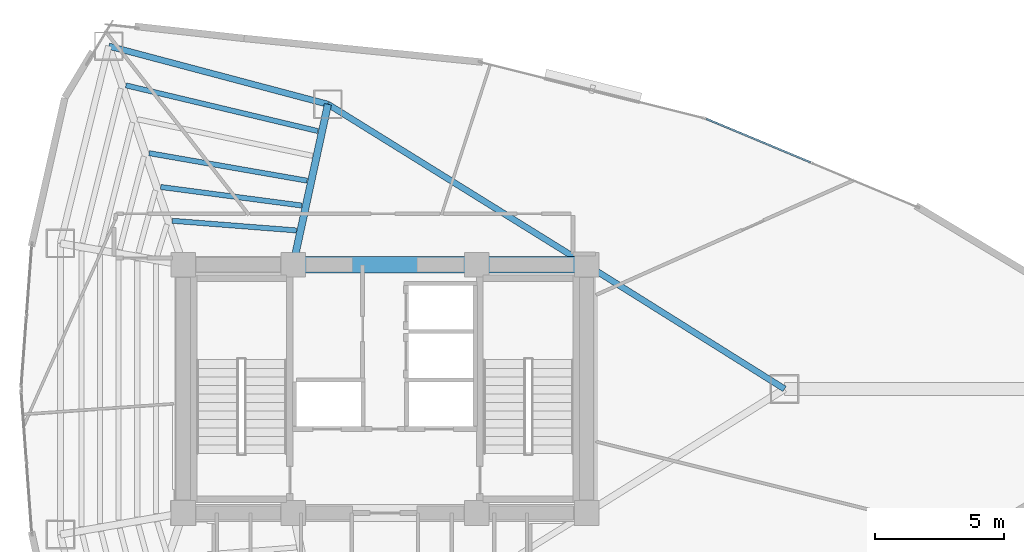
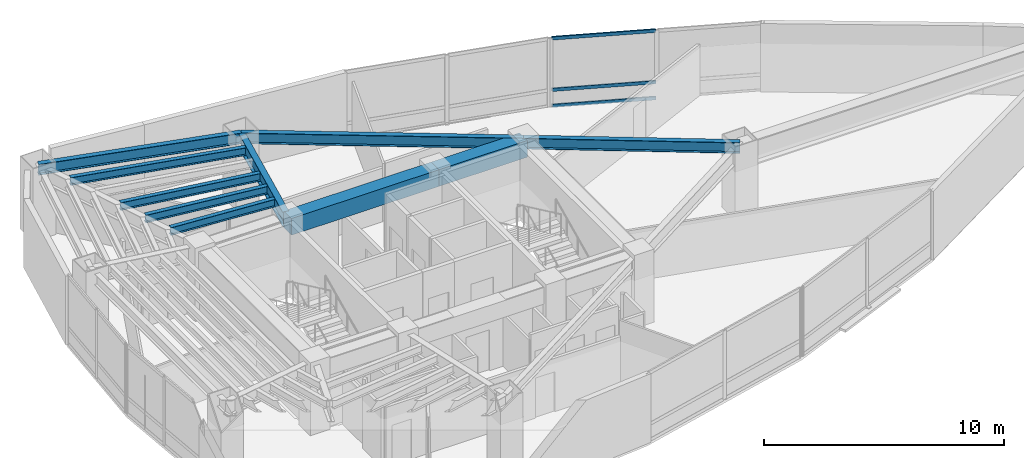
# One storey, part 8 of 18: 10 beams, 3 members, 1 element without a shape of its own.
"""IFC4 building model written with IfcOpenShell, lengths in metres."""

from ifc_helpers import new_model, si_unit, direction, frame, origin, origin_2d, place, context, subcontext, project, spatial, rectangle, hollow_rectangle, i_section, extrude, material, layer, layer_set, material_profile, profile_set, type_object, element, aggregate, save


model = new_model("IFC4")

# Units and contexts
model_context = context("Model", 3, precision=1e-05, world=origin(), true_north=direction((0.0, 1.0)))
body_context = subcontext(model_context, "Body", "Model", "MODEL_VIEW")
ifc_project = project(units=[si_unit("LENGTHUNIT", "METRE"), si_unit("AREAUNIT", "SQUARE_METRE"), si_unit("VOLUMEUNIT", "CUBIC_METRE"), si_unit("PLANEANGLEUNIT", "RADIAN"), si_unit("MASSUNIT", "GRAM", prefix="KILO")], contexts=[model_context])

# Site, building, storey
site_placement = place(None, origin())
site = spatial("IfcSite", under=ifc_project, at=site_placement, CompositionType="ELEMENT")
building_placement = place(site_placement, origin())
building = spatial("IfcBuilding", under=site, at=building_placement, Name="Menara Vayukalpa", CompositionType="ELEMENT")
storey_placement = place(building_placement, frame((0.0, 0.0, 161.760009765625)))
storey = spatial("IfcBuildingStorey", under=building, at=storey_placement, Name="L40", CompositionType="ELEMENT", Elevation=161.760009765625)

# Beams
ifc_material_1 = material(Name="Concrete C60/75", Category="concrete")
ifc_material_profile_1 = material_profile(ifc_material_1, rectangle(XDim=0.64990234375, YDim=0.85009765625, at=origin_2d()), Name="RC 650x850")
ifc_profile_set_1 = profile_set([ifc_material_profile_1], Name="Concrete C60/75")
beam_type_1 = type_object("IfcBeamType", Name="BM-CB1", PredefinedType="BEAM", material=ifc_profile_set_1)
beam_1_placement = place(storey_placement, frame((22.050048828125, 26.800048828125, 3.074951171875), z_axis=(1.0, 0.0, 0.0), x_axis=(0.0, 1.0, 0.0)))
element("IfcBeam", 1, at=beam_1_placement, inside=storey, type_object=beam_type_1, Name="L40 Core Tie Beam CBR5", PredefinedType="BEAM", context=body_context, shape_type="SweptSolid", body=[
    extrude(rectangle(XDim=0.64990234375, YDim=0.85009765625, at=origin_2d()), origin(), (0.0, 0.0, 1.0), 7.099853515625),
])
beam_2_placement = place(storey_placement, frame((29.14990234375, 26.800048828125, 3.074951171875), z_axis=(1.0, 0.0, 0.0), x_axis=(0.0, 1.0, 0.0)))
element("IfcBeam", 2, at=beam_2_placement, inside=storey, type_object=beam_type_1, Name="L40 Core Tie Beam CBR6", PredefinedType="BEAM", context=body_context, shape_type="SweptSolid", body=[
    extrude(rectangle(XDim=0.64990234375, YDim=0.85009765625, at=origin_2d()), origin(), (0.0, 0.0, 1.0), 4.25),
])
ifc_material_2 = material(Name="Steel S355", Category="steel")
ifc_material_profile_2 = material_profile(ifc_material_2, i_section(OverallWidth=0.280029296875, OverallDepth=0.75, WebThickness=0.013916015625, FlangeThickness=0.02490234375, at=origin_2d()), Name="WF 750x280x14x25")
ifc_profile_set_2 = profile_set([ifc_material_profile_2], Name="Steel S355")
beam_type_2 = type_object("IfcBeamType", Name="BM-PG4", PredefinedType="BEAM", material=ifc_profile_set_2)
beam_3_placement = place(storey_placement, frame((22.10302734375, 27.044189453125, 3.125), z_axis=(0.211898459532, 0.9772916877, 0.0), x_axis=(-0.9772916877, 0.211898459532, 0.0)))
element("IfcBeam", 3, at=beam_3_placement, inside=storey, type_object=beam_type_2, Name="L40 Primary Radial Girder RG03", PredefinedType="BEAM", context=body_context, shape_type="SweptSolid", body=[
    extrude(i_section(OverallWidth=0.280029296875, OverallDepth=0.75, WebThickness=0.013916015625, FlangeThickness=0.02490234375, at=origin_2d()), origin(), (0.0, 0.0, 1.0), 6.1064453125),
])
ifc_material_3 = material(Name="Steel S355", Category="steel")
ifc_material_profile_3 = material_profile(ifc_material_3, i_section(OverallWidth=0.199951171875, OverallDepth=0.39990234375, WebThickness=0.008056640625, FlangeThickness=0.012939453125, at=origin_2d()), Name="WF 400x200x8x13")
ifc_profile_set_3 = profile_set([ifc_material_profile_3], Name="Steel S355")
beam_type_3 = type_object("IfcBeamType", Name="BM-SJ2", PredefinedType="JOIST", material=ifc_profile_set_3)
beam_4_placement = place(storey_placement, frame((22.176513671875, 28.130859375, 3.300048828125), z_axis=(-0.996983386276, 0.077615252944, 0.0), x_axis=(-0.077615252944, -0.996983386276, 0.0)))
element("IfcBeam", 4, at=beam_4_placement, inside=storey, type_object=beam_type_3, Name="L40 Secondary Floor Joist SJ03-1", PredefinedType="JOIST", context=body_context, shape_type="SweptSolid", body=[
    extrude(i_section(OverallWidth=0.199951171875, OverallDepth=0.39990234375, WebThickness=0.008056640625, FlangeThickness=0.012939453125, at=origin_2d()), origin(), (0.0, 0.0, 1.0), 4.81591796875),
])
beam_5_placement = place(storey_placement, frame((22.38427734375, 29.09423828125, 3.300048828125), z_axis=(-0.991462596105, 0.130391412773, 0.0), x_axis=(-0.130391412773, -0.991462596105, 0.0)))
element("IfcBeam", 5, at=beam_5_placement, inside=storey, type_object=beam_type_3, Name="L40 Secondary Floor Joist SJ03-2", PredefinedType="JOIST", context=body_context, shape_type="SweptSolid", body=[
    extrude(i_section(OverallWidth=0.199951171875, OverallDepth=0.39990234375, WebThickness=0.008056640625, FlangeThickness=0.012939453125, at=origin_2d()), origin(), (0.0, 0.0, 1.0), 5.504638671875),
])
beam_6_placement = place(storey_placement, frame((22.59228515625, 30.0556640625, 3.300048828125), z_axis=(-0.985157431798, 0.171653239334, 0.0), x_axis=(-0.171653239334, -0.985157431798, 0.0)))
element("IfcBeam", 6, at=beam_6_placement, inside=storey, type_object=beam_type_3, Name="L40 Secondary Floor Joist SJ03-3", PredefinedType="JOIST", context=body_context, shape_type="SweptSolid", body=[
    extrude(i_section(OverallWidth=0.199951171875, OverallDepth=0.39990234375, WebThickness=0.008056640625, FlangeThickness=0.012939453125, at=origin_2d()), origin(), (0.0, 0.0, 1.0), 6.206787109375),
])
beam_7_placement = place(storey_placement, frame((23.00830078125, 31.974853515625, 3.300048828125), z_axis=(-0.972815476519, 0.231581624151, 0.0), x_axis=(-0.231581624151, -0.972815476519, 0.0)))
element("IfcBeam", 7, at=beam_7_placement, inside=storey, type_object=beam_type_3, Name="L40 Secondary Floor Joist SJ03-5", PredefinedType="JOIST", context=body_context, shape_type="SweptSolid", body=[
    extrude(i_section(OverallWidth=0.199951171875, OverallDepth=0.39990234375, WebThickness=0.008056640625, FlangeThickness=0.012939453125, at=origin_2d()), origin(), (0.0, 0.0, 1.0), 7.6357421875),
])
ifc_material_4 = material(Name="Steel S355", Category="steel")
ifc_material_profile_4 = material_profile(ifc_material_4, i_section(OverallWidth=0.239990234375, OverallDepth=0.550048828125, WebThickness=0.010986328125, FlangeThickness=0.01904296875, at=origin_2d()), Name="WF 550x240x11x19")
ifc_profile_set_4 = profile_set([ifc_material_profile_4], Name="Steel S355")
beam_type_4 = type_object("IfcBeamType", Name="BM-SP2", PredefinedType="SPANDREL", material=ifc_profile_set_4)
beam_8_placement = place(storey_placement, frame((41.05908203125, 22.0, 3.22509765625), z_axis=(-0.847348220701, 0.531037656739, 0.0), x_axis=(-0.531037656739, -0.847348220701, 0.0)))
element("IfcBeam", 8, at=beam_8_placement, inside=storey, type_object=beam_type_4, Name="L40 Perimeter Spandrel Beam SP01", PredefinedType="SPANDREL", context=body_context, shape_type="SweptSolid", body=[
    extrude(i_section(OverallWidth=0.239990234375, OverallDepth=0.550048828125, WebThickness=0.010986328125, FlangeThickness=0.01904296875, at=origin_2d()), origin(), (0.0, 0.0, 1.0), 9.0390625),
])
beam_9_placement = place(storey_placement, frame((33.39990234375, 26.800048828125, 3.22509765625), z_axis=(-0.849518408464, 0.527558976495, 0.0), x_axis=(-0.527558976495, -0.849518408464, 0.0)))
element("IfcBeam", 9, at=beam_9_placement, inside=storey, type_object=beam_type_4, Name="L40 Perimeter Spandrel Beam SP02", PredefinedType="SPANDREL", context=body_context, shape_type="SweptSolid", body=[
    extrude(i_section(OverallWidth=0.239990234375, OverallDepth=0.550048828125, WebThickness=0.010986328125, FlangeThickness=0.01904296875, at=origin_2d()), origin(), (0.0, 0.0, 1.0), 11.77490234375),
])
beam_10_placement = place(storey_placement, frame((23.39697265625, 33.011962890625, 3.22509765625), z_axis=(-0.96657141455, 0.256397544009, 0.0), x_axis=(-0.256397544009, -0.96657141455, 0.0)))
element("IfcBeam", 10, at=beam_10_placement, inside=storey, type_object=beam_type_4, Name="L40 Perimeter Spandrel Beam SP03", PredefinedType="SPANDREL", context=body_context, shape_type="SweptSolid", body=[
    extrude(i_section(OverallWidth=0.239990234375, OverallDepth=0.550048828125, WebThickness=0.010986328125, FlangeThickness=0.01904296875, at=origin_2d()), origin(), (0.0, 0.0, 1.0), 8.769775390625),
])

# Curtain wall, members
ifc_material_5 = material(Name="Anodised Terracotta Aluminium Alloy 6063-T6", Category="masonry")
ifc_layer = layer(ifc_material_5, 0.179931640625)
ifc_layer_set = layer_set([ifc_layer], Name="Anodised Terracotta Aluminium Alloy 6063-T6")
curtain_wall_type = type_object("IfcCurtainWallType", Name="CW-CW4", PredefinedType="USERDEFINED", material=ifc_layer_set)
curtain_wall_placement = place(storey_placement, origin())
curtain_wall = element("IfcCurtainWall", 11, at=curtain_wall_placement, inside=storey, type_object=curtain_wall_type, Name="L40 Sky Bar Cantilever Glazed Curtain Wall CW4 04", ObjectType="UNITISED", PredefinedType="USERDEFINED")
ifc_material_6 = material(Name="Anodised Terracotta Aluminium Alloy 6063-T6", Category="masonry")
ifc_material_profile_5 = material_profile(ifc_material_6, hollow_rectangle(XDim=0.070068359375, YDim=0.1650390625, WallThickness=0.00390625, at=origin_2d()), Name="ALU 70x165x4")
ifc_profile_set_5 = profile_set([ifc_material_profile_5], Name="Anodised Terracotta Aluminium Alloy 6063-T6")
member_type = type_object("IfcMemberType", Name="CWT-CW4", PredefinedType="USERDEFINED", material=ifc_profile_set_5)
member_1_placement = place(storey_placement, frame((42.063720703125, 30.765869140625, 0.034912109375), z_axis=(-0.922868513183, 0.385115187152, 0.0), x_axis=(-0.385115187152, -0.922868513183, 0.0)))
member_1 = element("IfcMember", 12, at=member_1_placement, type_object=member_type, Name="CW4 transom 2.1", ObjectType="TRANSOM", PredefinedType="USERDEFINED", context=body_context, shape_type="SweptSolid", body=[
    extrude(hollow_rectangle(XDim=0.070068359375, YDim=0.1650390625, WallThickness=0.00390625, at=origin_2d()), origin(), (0.0, 0.0, 1.0), 4.369873046875),
])
member_2_placement = place(storey_placement, frame((42.063720703125, 30.765869140625, 0.85009765625), z_axis=(-0.922868513183, 0.385115187152, 0.0), x_axis=(-0.385115187152, -0.922868513183, 0.0)))
member_2 = element("IfcMember", 13, at=member_2_placement, type_object=member_type, Name="CW4 transom 2.2", ObjectType="TRANSOM", PredefinedType="USERDEFINED", context=body_context, shape_type="SweptSolid", body=[
    extrude(hollow_rectangle(XDim=0.070068359375, YDim=0.1650390625, WallThickness=0.00390625, at=origin_2d()), origin(), (0.0, 0.0, 1.0), 4.369873046875),
])
member_3_placement = place(storey_placement, frame((42.063720703125, 30.765869140625, 3.465087890625), z_axis=(-0.922868513183, 0.385115187152, 0.0), x_axis=(-0.385115187152, -0.922868513183, 0.0)))
member_3 = element("IfcMember", 14, at=member_3_placement, type_object=member_type, Name="CW4 transom 2.3", ObjectType="TRANSOM", PredefinedType="USERDEFINED", context=body_context, shape_type="SweptSolid", body=[
    extrude(hollow_rectangle(XDim=0.070068359375, YDim=0.1650390625, WallThickness=0.00390625, at=origin_2d()), origin(), (0.0, 0.0, 1.0), 4.369873046875),
])
aggregate(curtain_wall, [member_1, member_2, member_3])

save(model, "model.ifc")
